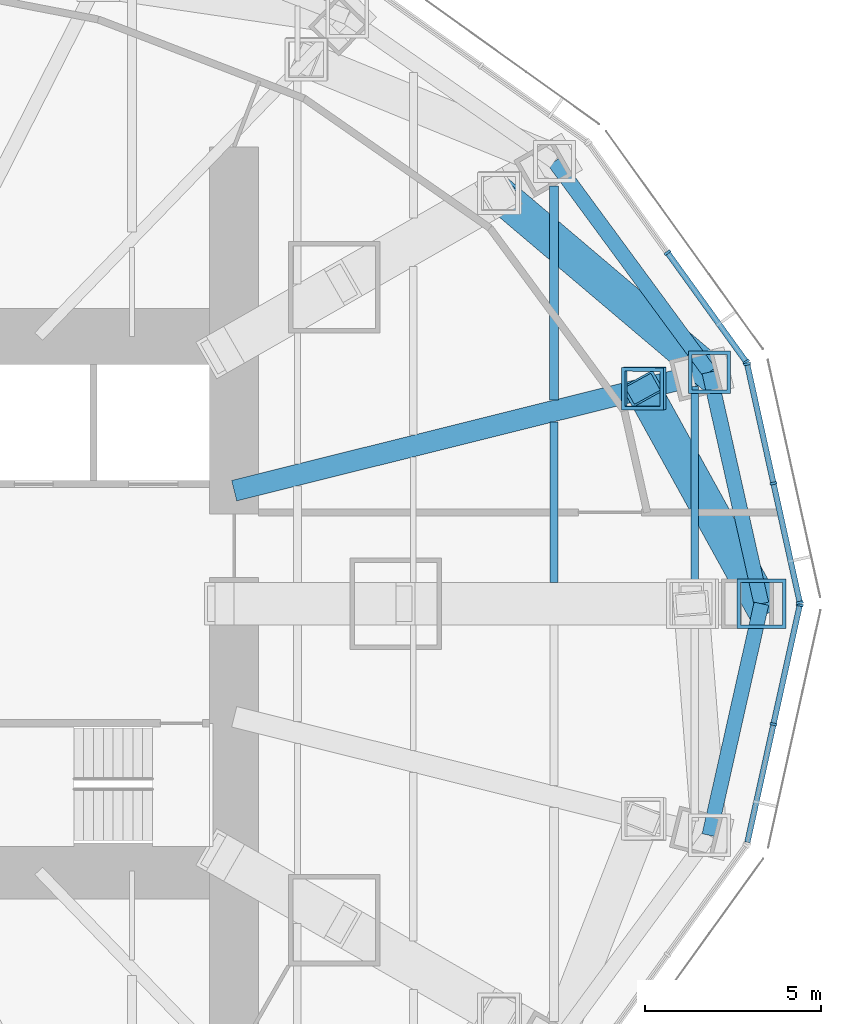
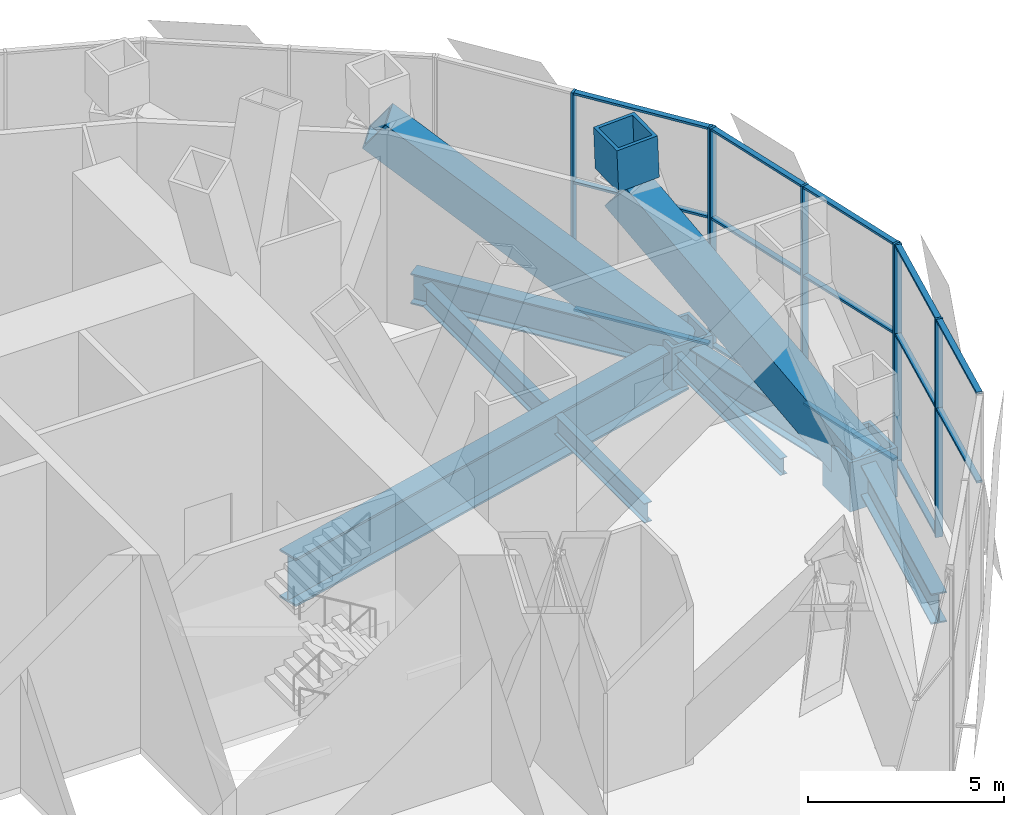
# One storey, part 7 of 19: 26 members, 7 beams, 3 elements without a shape of their own.
"""IFC4 building model written with IfcOpenShell, lengths in metres."""

from ifc_helpers import new_model, si_unit, direction, frame, origin, origin_2d, place, context, subcontext, project, spatial, rectangle, hollow_rectangle, i_section, extrude, material, material_profile, profile_set, type_object, element, aggregate, save


model = new_model("IFC4")

# Units and contexts
model_context = context("Model", 3, precision=1e-05, world=origin(), true_north=direction((0.0, 1.0)))
body_context = subcontext(model_context, "Body", "Model", "MODEL_VIEW")
ifc_project = project(units=[si_unit("LENGTHUNIT", "METRE"), si_unit("AREAUNIT", "SQUARE_METRE"), si_unit("VOLUMEUNIT", "CUBIC_METRE"), si_unit("PLANEANGLEUNIT", "RADIAN"), si_unit("MASSUNIT", "GRAM", prefix="KILO")], contexts=[model_context])

# Site, building, storey
site_placement = place(None, origin())
site = spatial("IfcSite", under=ifc_project, at=site_placement, CompositionType="ELEMENT")
building_placement = place(site_placement, origin())
building = spatial("IfcBuilding", under=site, at=building_placement, Name="Lantaw Convention Tower", CompositionType="ELEMENT")
storey_placement = place(building_placement, frame((0.0, 0.0, 193.0)))
storey = spatial("IfcBuildingStorey", under=building, at=storey_placement, Name="L45", CompositionType="ELEMENT", Elevation=193.0)

# Beams
ifc_material_1 = material(Name="Steel ASTM A992", Category="steel")
ifc_material_profile_1 = material_profile(ifc_material_1, i_section(OverallWidth=0.424072265625, OverallDepth=0.947509765625, WebThickness=0.02392578125, FlangeThickness=0.042724609375, FilletRadius=0.012451171875, at=origin_2d()), Name="W36X302")
ifc_profile_set_1 = profile_set([ifc_material_profile_1], Name="Steel ASTM A992")
beam_type_1 = type_object("IfcBeamType", Name="Beam BC W36X302", PredefinedType="SPANDREL", material=ifc_profile_set_1)
beam_1_placement = place(storey_placement, frame((27.89990234375, 0.0, -0.673828125), z_axis=(-0.219211877447, 0.975677279015, 0.0), x_axis=(-0.975677279015, -0.219211877447, 0.0)))
element("IfcBeam", 1, at=beam_1_placement, inside=storey, type_object=beam_type_1, Name="Belt truss chord 1", PredefinedType="SPANDREL", context=body_context, shape_type="SweptSolid", body=[
    extrude(i_section(OverallWidth=0.424072265625, OverallDepth=0.947509765625, WebThickness=0.02392578125, FlangeThickness=0.042724609375, FilletRadius=0.012451171875, at=origin_2d()), origin(), (0.0, 0.0, 1.0), 6.75146484375),
])
beam_2_placement = place(storey_placement, frame((26.419921875, 6.587158203125, -0.673828125), z_axis=(-0.5923891972, 0.805651934176, 0.0), x_axis=(-0.805651934176, -0.5923891972, 0.0)))
element("IfcBeam", 2, at=beam_2_placement, inside=storey, type_object=beam_type_1, Name="Belt truss chord 2", PredefinedType="SPANDREL", context=body_context, shape_type="SweptSolid", body=[
    extrude(i_section(OverallWidth=0.424072265625, OverallDepth=0.947509765625, WebThickness=0.02392578125, FlangeThickness=0.042724609375, FilletRadius=0.012451171875, at=origin_2d()), origin(), (0.0, 0.0, 1.0), 7.437744140625),
])
beam_3_placement = place(storey_placement, frame((26.419921875, -6.587158203125, -0.673828125), z_axis=(0.219211877447, 0.975677279015, 0.0), x_axis=(-0.975677279015, 0.219211877447, 0.0)))
element("IfcBeam", 3, at=beam_3_placement, inside=storey, type_object=beam_type_1, Name="Belt truss chord 24", PredefinedType="SPANDREL", context=body_context, shape_type="SweptSolid", body=[
    extrude(i_section(OverallWidth=0.424072265625, OverallDepth=0.947509765625, WebThickness=0.02392578125, FlangeThickness=0.042724609375, FilletRadius=0.012451171875, at=origin_2d()), origin(), (0.0, 0.0, 1.0), 6.75146484375),
])
ifc_material_2 = material(Name="Steel ASTM A572 Grade 50", Category="steel")
ifc_material_profile_2 = material_profile(ifc_material_2, i_section(OverallWidth=0.60009765625, OverallDepth=1.5, WebThickness=0.02490234375, FlangeThickness=0.06005859375, at=origin_2d()), Name="PG1500X600X25X60")
ifc_profile_set_2 = profile_set([ifc_material_profile_2], Name="Steel ASTM A572 Grade 50")
beam_type_2 = type_object("IfcBeamType", Name="Beam G PG1500X600X25X60", PredefinedType="BEAM", material=ifc_profile_set_2)
beam_4_placement = place(storey_placement, frame((12.89990234375, 3.21630859375, -0.949951171875), z_axis=(0.970296903132, 0.24191717544, 0.0), x_axis=(-0.24191717544, 0.970296903132, 0.0)))
element("IfcBeam", 4, at=beam_4_placement, inside=storey, type_object=beam_type_2, Name="Floor girder on ray 2", PredefinedType="BEAM", context=body_context, shape_type="SweptSolid", body=[
    extrude(i_section(OverallWidth=0.60009765625, OverallDepth=1.5, WebThickness=0.02490234375, FlangeThickness=0.06005859375, at=origin_2d()), origin(), (0.0, 0.0, 1.0), 13.933837890625),
])
ifc_material_profile_3 = material_profile(ifc_material_1, i_section(OverallWidth=0.209228515625, OverallDepth=0.533447265625, WebThickness=0.01025390625, FlangeThickness=0.015625, FilletRadius=0.012939453125, at=origin_2d()), Name="W21X62")
ifc_profile_set_3 = profile_set([ifc_material_profile_3], Name="Steel ASTM A992")
beam_type_3 = type_object("IfcBeamType", Name="Beam J W21X62", PredefinedType="JOIST", material=ifc_profile_set_3)
beam_5_placement = place(storey_placement, frame((26.0, 0.60009765625, -0.466796875), z_axis=(0.0, 1.0, 0.0), x_axis=(-1.0, 0.0, 0.0)))
element("IfcBeam", 5, at=beam_5_placement, inside=storey, type_object=beam_type_3, Name="Floor joist", PredefinedType="JOIST", context=body_context, shape_type="SweptSolid", body=[
    extrude(i_section(OverallWidth=0.209228515625, OverallDepth=0.533447265625, WebThickness=0.01025390625, FlangeThickness=0.015625, FilletRadius=0.012939453125, at=origin_2d()), origin(), (0.0, 0.0, 1.0), 5.5732421875),
])
ifc_material_profile_4 = material_profile(ifc_material_1, i_section(OverallWidth=0.22900390625, OverallDepth=0.612060546875, WebThickness=0.011962890625, FlangeThickness=0.01953125, FilletRadius=0.0126953125, at=origin_2d()), Name="W24X84")
ifc_profile_set_4 = profile_set([ifc_material_profile_4], Name="Steel ASTM A992")
beam_type_4 = type_object("IfcBeamType", Name="Beam J W24X84", PredefinedType="JOIST", material=ifc_profile_set_4)
beam_6_placement = place(storey_placement, frame((22.0, 0.60009765625, -0.506103515625), z_axis=(0.0, 1.0, 0.0), x_axis=(-1.0, 0.0, 0.0)))
element("IfcBeam", 6, at=beam_6_placement, inside=storey, type_object=beam_type_4, Name="Floor joist", PredefinedType="JOIST", context=body_context, shape_type="SweptSolid", body=[
    extrude(i_section(OverallWidth=0.22900390625, OverallDepth=0.612060546875, WebThickness=0.011962890625, FlangeThickness=0.01953125, FilletRadius=0.0126953125, at=origin_2d()), origin(), (0.0, 0.0, 1.0), 4.575927734375),
])
ifc_material_profile_5 = material_profile(ifc_material_1, i_section(OverallWidth=0.25390625, OverallDepth=0.683349609375, WebThickness=0.012451171875, FlangeThickness=0.01904296875, FilletRadius=0.01513671875, at=origin_2d()), Name="W27X94")
ifc_profile_set_5 = profile_set([ifc_material_profile_5], Name="Steel ASTM A992")
beam_type_5 = type_object("IfcBeamType", Name="Beam J W27X94", PredefinedType="JOIST", material=ifc_profile_set_5)
beam_7_placement = place(storey_placement, frame((22.0, 5.79443359375, -0.541748046875), z_axis=(0.0, 1.0, 0.0), x_axis=(-1.0, 0.0, 0.0)))
element("IfcBeam", 7, at=beam_7_placement, inside=storey, type_object=beam_type_5, Name="Floor joist", PredefinedType="JOIST", context=body_context, shape_type="SweptSolid", body=[
    extrude(i_section(OverallWidth=0.25390625, OverallDepth=0.683349609375, WebThickness=0.012451171875, FlangeThickness=0.01904296875, FilletRadius=0.01513671875, at=origin_2d()), origin(), (0.0, 0.0, 1.0), 6.0859375),
])

# Curtain wall, members
ifc_material_3 = material(Name="Aluminium framed curtain wall", Category="aluminium")
curtain_wall_type = type_object("IfcCurtainWallType", Name="Plant floor louvre wall, pale aluminium", PredefinedType="USERDEFINED", material=ifc_material_3)
curtain_wall_1_placement = place(storey_placement, origin())
curtain_wall_1 = element("IfcCurtainWall", 8, at=curtain_wall_1_placement, inside=storey, type_object=curtain_wall_type, Name="Plant floor louvre wall, pale aluminium L45", ObjectType="LOUVRE WALL", PredefinedType="USERDEFINED")
ifc_material_4 = material(Name="Aluminium 6063-T6", Category="aluminium")
ifc_material_profile_6 = material_profile(ifc_material_4, rectangle(XDim=0.199951171875, YDim=0.070068359375, at=origin_2d()), Name="CW-LV mullion 70x200")
ifc_profile_set_6 = profile_set([ifc_material_profile_6], Name="Aluminium 6063-T6")
member_type_1 = type_object("IfcMemberType", Name="CW-LV mullion 70x200", PredefinedType="MULLION", material=ifc_profile_set_6)
member_1_placement = place(storey_placement, frame((28.992431640625, 0.0341796875, -1.0), z_axis=(0.0, 0.0, 1.0), x_axis=(-0.9764936509, -0.215546166174, 0.0)))
member_1 = element("IfcMember", 9, at=member_1_placement, type_object=member_type_1, Name="CW-LV mullion 1", PredefinedType="MULLION", context=body_context, shape_type="SweptSolid", body=[
    extrude(rectangle(XDim=0.199951171875, YDim=0.070068359375, at=origin_2d()), origin(), (0.0, 0.0, 1.0), 6.800048828125),
])
member_2_placement = place(storey_placement, frame((28.24365234375, 3.4267578125, -1.0), z_axis=(0.0, 0.0, 1.0), x_axis=(-0.9764936509, -0.215546166174, 0.0)))
member_2 = element("IfcMember", 10, at=member_2_placement, type_object=member_type_1, Name="CW-LV mullion 2", PredefinedType="MULLION", context=body_context, shape_type="SweptSolid", body=[
    extrude(rectangle(XDim=0.199951171875, YDim=0.070068359375, at=origin_2d()), origin(), (0.0, 0.0, 1.0), 6.800048828125),
])
member_3_placement = place(storey_placement, frame((27.494873046875, 6.819091796875, -1.0), z_axis=(0.0, 0.0, 1.0), x_axis=(-0.9764936509, -0.215546166174, 0.0)))
member_3 = element("IfcMember", 11, at=member_3_placement, type_object=member_type_1, Name="CW-LV mullion 3", PredefinedType="MULLION", context=body_context, shape_type="SweptSolid", body=[
    extrude(rectangle(XDim=0.199951171875, YDim=0.070068359375, at=origin_2d()), origin(), (0.0, 0.0, 1.0), 6.800048828125),
])

curtain_wall_2_placement = place(storey_placement, origin())
curtain_wall_2 = element("IfcCurtainWall", 12, at=curtain_wall_2_placement, inside=storey, type_object=curtain_wall_type, Name="Plant floor louvre wall, pale aluminium L45", ObjectType="LOUVRE WALL", PredefinedType="USERDEFINED")
member_4_placement = place(storey_placement, frame((27.466796875, 6.8818359375, -1.0), z_axis=(0.0, 0.0, 1.0), x_axis=(-0.811384633629, -0.584512597221, 0.0)))
member_4 = element("IfcMember", 13, at=member_4_placement, type_object=member_type_1, Name="CW-LV mullion 1", PredefinedType="MULLION", context=body_context, shape_type="SweptSolid", body=[
    extrude(rectangle(XDim=0.199951171875, YDim=0.070068359375, at=origin_2d()), origin(), (0.0, 0.0, 1.0), 6.800048828125),
])
member_5_placement = place(storey_placement, frame((25.22802734375, 9.9892578125, -1.0), z_axis=(0.0, 0.0, 1.0), x_axis=(-0.811384633629, -0.584512597221, 0.0)))
member_5 = element("IfcMember", 14, at=member_5_placement, type_object=member_type_1, Name="CW-LV mullion 2", PredefinedType="MULLION", context=body_context, shape_type="SweptSolid", body=[
    extrude(rectangle(XDim=0.199951171875, YDim=0.070068359375, at=origin_2d()), origin(), (0.0, 0.0, 1.0), 6.800048828125),
])

curtain_wall_3_placement = place(storey_placement, origin())
curtain_wall_3 = element("IfcCurtainWall", 15, at=curtain_wall_3_placement, inside=storey, type_object=curtain_wall_type, Name="Plant floor louvre wall, pale aluminium L45", ObjectType="LOUVRE WALL", PredefinedType="USERDEFINED")
member_6_placement = place(storey_placement, frame((28.24365234375, -3.4267578125, -1.0), z_axis=(0.0, 0.0, 1.0), x_axis=(-0.9764936509, 0.215546166174, 0.0)))
member_6 = element("IfcMember", 16, at=member_6_placement, type_object=member_type_1, Name="CW-LV mullion 2", PredefinedType="MULLION", context=body_context, shape_type="SweptSolid", body=[
    extrude(rectangle(XDim=0.199951171875, YDim=0.070068359375, at=origin_2d()), origin(), (0.0, 0.0, 1.0), 6.800048828125),
])
member_7_placement = place(storey_placement, frame((28.992431640625, -0.0341796875, -1.0), z_axis=(0.0, 0.0, 1.0), x_axis=(-0.9764936509, 0.215546166174, 0.0)))
member_7 = element("IfcMember", 17, at=member_7_placement, type_object=member_type_1, Name="CW-LV mullion 3", PredefinedType="MULLION", context=body_context, shape_type="SweptSolid", body=[
    extrude(rectangle(XDim=0.199951171875, YDim=0.070068359375, at=origin_2d()), origin(), (0.0, 0.0, 1.0), 6.800048828125),
])

# Member
ifc_material_profile_7 = material_profile(ifc_material_4, rectangle(XDim=0.159912109375, YDim=0.070068359375, at=origin_2d()), Name="CW-LV transom 70x160")
ifc_profile_set_7 = profile_set([ifc_material_profile_7], Name="Aluminium 6063-T6")
member_type_2 = type_object("IfcMemberType", Name="CW-LV transom 70x160", PredefinedType="USERDEFINED", material=ifc_profile_set_7)
member_8_placement = place(storey_placement, frame((28.98486328125, 0.068359375, -0.965087890625), z_axis=(-0.215510227475, 0.976501583129, 0.0), x_axis=(-0.976501583129, -0.215510227475, 0.0)))
member_8 = element("IfcMember", 18, at=member_8_placement, type_object=member_type_2, Name="CW-LV transom 1.1", ObjectType="TRANSOM", PredefinedType="USERDEFINED", context=body_context, shape_type="SweptSolid", body=[
    extrude(rectangle(XDim=0.159912109375, YDim=0.070068359375, at=origin_2d()), origin(), (0.0, 0.0, 1.0), 3.404296875),
])

member_9_placement = place(storey_placement, frame((28.98486328125, 0.068359375, 3.0), z_axis=(-0.215510227475, 0.976501583129, 0.0), x_axis=(-0.976501583129, -0.215510227475, 0.0)))
member_9 = element("IfcMember", 19, at=member_9_placement, type_object=member_type_2, Name="CW-LV transom 1.2", ObjectType="TRANSOM", PredefinedType="USERDEFINED", context=body_context, shape_type="SweptSolid", body=[
    extrude(rectangle(XDim=0.159912109375, YDim=0.070068359375, at=origin_2d()), origin(), (0.0, 0.0, 1.0), 3.404296875),
])

member_10_placement = place(storey_placement, frame((28.98486328125, 0.068359375, 5.764892578125), z_axis=(-0.215510227475, 0.976501583129, 0.0), x_axis=(-0.976501583129, -0.215510227475, 0.0)))
member_10 = element("IfcMember", 20, at=member_10_placement, type_object=member_type_2, Name="CW-LV transom 1.3", ObjectType="TRANSOM", PredefinedType="USERDEFINED", context=body_context, shape_type="SweptSolid", body=[
    extrude(rectangle(XDim=0.159912109375, YDim=0.070068359375, at=origin_2d()), origin(), (0.0, 0.0, 1.0), 3.404296875),
])

member_11_placement = place(storey_placement, frame((28.236083984375, 3.4609375, -0.965087890625), z_axis=(-0.215593710182, 0.976483155067, 0.0), x_axis=(-0.976483155067, -0.215593710182, 0.0)))
member_11 = element("IfcMember", 21, at=member_11_placement, type_object=member_type_2, Name="CW-LV transom 2.1", ObjectType="TRANSOM", PredefinedType="USERDEFINED", context=body_context, shape_type="SweptSolid", body=[
    extrude(rectangle(XDim=0.159912109375, YDim=0.070068359375, at=origin_2d()), origin(), (0.0, 0.0, 1.0), 3.404052734375),
])

member_12_placement = place(storey_placement, frame((28.236083984375, 3.4609375, 3.0), z_axis=(-0.215593710182, 0.976483155067, 0.0), x_axis=(-0.976483155067, -0.215593710182, 0.0)))
member_12 = element("IfcMember", 22, at=member_12_placement, type_object=member_type_2, Name="CW-LV transom 2.2", ObjectType="TRANSOM", PredefinedType="USERDEFINED", context=body_context, shape_type="SweptSolid", body=[
    extrude(rectangle(XDim=0.159912109375, YDim=0.070068359375, at=origin_2d()), origin(), (0.0, 0.0, 1.0), 3.404052734375),
])

member_13_placement = place(storey_placement, frame((28.236083984375, 3.4609375, 5.764892578125), z_axis=(-0.215593710182, 0.976483155067, 0.0), x_axis=(-0.976483155067, -0.215593710182, 0.0)))
member_13 = element("IfcMember", 23, at=member_13_placement, type_object=member_type_2, Name="CW-LV transom 2.3", ObjectType="TRANSOM", PredefinedType="USERDEFINED", context=body_context, shape_type="SweptSolid", body=[
    extrude(rectangle(XDim=0.159912109375, YDim=0.070068359375, at=origin_2d()), origin(), (0.0, 0.0, 1.0), 3.404052734375),
])

aggregate(curtain_wall_1, [member_1, member_2, member_3, member_8, member_9, member_10, member_11, member_12, member_13])

member_14_placement = place(storey_placement, frame((27.4462890625, 6.91015625, -0.965087890625), z_axis=(-0.584513390493, 0.811384062164, 0.0), x_axis=(-0.811384062164, -0.584513390493, 0.0)))
member_14 = element("IfcMember", 24, at=member_14_placement, type_object=member_type_2, Name="CW-LV transom 1.1", ObjectType="TRANSOM", PredefinedType="USERDEFINED", context=body_context, shape_type="SweptSolid", body=[
    extrude(rectangle(XDim=0.159912109375, YDim=0.070068359375, at=origin_2d()), origin(), (0.0, 0.0, 1.0), 3.760009765625),
])

member_15_placement = place(storey_placement, frame((27.4462890625, 6.91015625, 3.0), z_axis=(-0.584513390493, 0.811384062164, 0.0), x_axis=(-0.811384062164, -0.584513390493, 0.0)))
member_15 = element("IfcMember", 25, at=member_15_placement, type_object=member_type_2, Name="CW-LV transom 1.2", ObjectType="TRANSOM", PredefinedType="USERDEFINED", context=body_context, shape_type="SweptSolid", body=[
    extrude(rectangle(XDim=0.159912109375, YDim=0.070068359375, at=origin_2d()), origin(), (0.0, 0.0, 1.0), 3.760009765625),
])

member_16_placement = place(storey_placement, frame((27.4462890625, 6.91015625, 5.764892578125), z_axis=(-0.584513390493, 0.811384062164, 0.0), x_axis=(-0.811384062164, -0.584513390493, 0.0)))
member_16 = element("IfcMember", 26, at=member_16_placement, type_object=member_type_2, Name="CW-LV transom 1.3", ObjectType="TRANSOM", PredefinedType="USERDEFINED", context=body_context, shape_type="SweptSolid", body=[
    extrude(rectangle(XDim=0.159912109375, YDim=0.070068359375, at=origin_2d()), origin(), (0.0, 0.0, 1.0), 3.760009765625),
])

aggregate(curtain_wall_2, [member_4, member_5, member_14, member_15, member_16])

member_17_placement = place(storey_placement, frame((27.502197265625, -6.784912109375, 3.0), z_axis=(0.215593710182, 0.976483155067, 0.0), x_axis=(-0.976483155067, 0.215593710182, 0.0)))
member_17 = element("IfcMember", 27, at=member_17_placement, type_object=member_type_2, Name="CW-LV transom 1.2", ObjectType="TRANSOM", PredefinedType="USERDEFINED", context=body_context, shape_type="SweptSolid", body=[
    extrude(rectangle(XDim=0.159912109375, YDim=0.070068359375, at=origin_2d()), origin(), (0.0, 0.0, 1.0), 3.404052734375),
])

member_18_placement = place(storey_placement, frame((27.502197265625, -6.784912109375, 5.764892578125), z_axis=(0.215593710182, 0.976483155067, 0.0), x_axis=(-0.976483155067, 0.215593710182, 0.0)))
member_18 = element("IfcMember", 28, at=member_18_placement, type_object=member_type_2, Name="CW-LV transom 1.3", ObjectType="TRANSOM", PredefinedType="USERDEFINED", context=body_context, shape_type="SweptSolid", body=[
    extrude(rectangle(XDim=0.159912109375, YDim=0.070068359375, at=origin_2d()), origin(), (0.0, 0.0, 1.0), 3.404052734375),
])

member_19_placement = place(storey_placement, frame((28.251220703125, -3.392578125, -0.965087890625), z_axis=(0.215510227475, 0.976501583129, 0.0), x_axis=(-0.976501583129, 0.215510227475, 0.0)))
member_19 = element("IfcMember", 29, at=member_19_placement, type_object=member_type_2, Name="CW-LV transom 2.1", ObjectType="TRANSOM", PredefinedType="USERDEFINED", context=body_context, shape_type="SweptSolid", body=[
    extrude(rectangle(XDim=0.159912109375, YDim=0.070068359375, at=origin_2d()), origin(), (0.0, 0.0, 1.0), 3.404296875),
])

member_20_placement = place(storey_placement, frame((28.251220703125, -3.392578125, 3.0), z_axis=(0.215510227475, 0.976501583129, 0.0), x_axis=(-0.976501583129, 0.215510227475, 0.0)))
member_20 = element("IfcMember", 30, at=member_20_placement, type_object=member_type_2, Name="CW-LV transom 2.2", ObjectType="TRANSOM", PredefinedType="USERDEFINED", context=body_context, shape_type="SweptSolid", body=[
    extrude(rectangle(XDim=0.159912109375, YDim=0.070068359375, at=origin_2d()), origin(), (0.0, 0.0, 1.0), 3.404296875),
])

member_21_placement = place(storey_placement, frame((28.251220703125, -3.392578125, 5.764892578125), z_axis=(0.215510227475, 0.976501583129, 0.0), x_axis=(-0.976501583129, 0.215510227475, 0.0)))
member_21 = element("IfcMember", 31, at=member_21_placement, type_object=member_type_2, Name="CW-LV transom 2.3", ObjectType="TRANSOM", PredefinedType="USERDEFINED", context=body_context, shape_type="SweptSolid", body=[
    extrude(rectangle(XDim=0.159912109375, YDim=0.070068359375, at=origin_2d()), origin(), (0.0, 0.0, 1.0), 3.404296875),
])

aggregate(curtain_wall_3, [member_6, member_7, member_17, member_18, member_19, member_20, member_21])

# Members
ifc_material_profile_8 = material_profile(ifc_material_2, hollow_rectangle(XDim=1.0, YDim=1.0, WallThickness=0.080078125, at=origin_2d()), Name="BOX1000X80")
ifc_profile_set_8 = profile_set([ifc_material_profile_8], Name="Steel ASTM A572 Grade 50")
member_type_3 = type_object("IfcMemberType", Name="Member BT BOX1000X80", PredefinedType="BRACE", material=ifc_profile_set_8)
member_22_placement = place(storey_placement, frame((27.89990234375, 0.0, -0.673828125), z_axis=(-0.365540280656, 0.661623680866, 0.654701770377), x_axis=(-0.875294096806, -0.483590988436, 0.0)))
element("IfcMember", 32, at=member_22_placement, inside=storey, type_object=member_type_3, Name="Belt truss diagonal 1", PredefinedType="BRACE", context=body_context, shape_type="SweptSolid", body=[
    extrude(hollow_rectangle(XDim=1.0, YDim=1.0, WallThickness=0.080078125, at=origin_2d()), origin(), (0.0, 0.0, 1.0), 9.240966796875),
])
member_23_placement = place(storey_placement, frame((26.419921875, 6.587158203125, -0.673828125), z_axis=(-0.604524709688, 0.512429629134, 0.60988994955), x_axis=(-0.646610226465, -0.762820565422, 0.0)))
element("IfcMember", 33, at=member_23_placement, inside=storey, type_object=member_type_3, Name="Belt truss diagonal 2", PredefinedType="BRACE", context=body_context, shape_type="SweptSolid", body=[
    extrude(hollow_rectangle(XDim=1.0, YDim=1.0, WallThickness=0.080078125, at=origin_2d()), origin(), (0.0, 0.0, 1.0), 9.919921875),
])
ifc_material_5 = material(Name="Cast steel ASTM A148 Grade 80-50", Category="steel")
ifc_material_profile_9 = material_profile(ifc_material_5, hollow_rectangle(XDim=1.199951171875, YDim=1.199951171875, WallThickness=0.10009765625, at=origin_2d()), Name="BOX1200X100")
ifc_profile_set_9 = profile_set([ifc_material_profile_9], Name="Cast steel ASTM A148 Grade 80-50")
member_type_4 = type_object("IfcMemberType", Name="Member CN BOX1200X100", PredefinedType="USERDEFINED", material=ifc_profile_set_9)
member_24_placement = place(storey_placement, frame((26.419921875, 6.587158203125, -1.320068359375), z_axis=(0.0, 0.0, 1.0), x_axis=(1.0, 0.0, 0.0)))
element("IfcMember", 34, at=member_24_placement, inside=storey, type_object=member_type_4, Name="Cast steel column node", ObjectType="COLUMN NODE", PredefinedType="USERDEFINED", context=body_context, shape_type="SweptSolid", body=[
    extrude(hollow_rectangle(XDim=1.199951171875, YDim=1.199951171875, WallThickness=0.10009765625, at=origin_2d()), origin(), (0.0, 0.0, 1.0), 1.320068359375),
])
member_25_placement = place(storey_placement, frame((24.581787109375, 6.12890625, 5.81103515625), z_axis=(-0.045262314505, -0.011269392591, 0.998911569498), x_axis=(0.998975084207, -0.00083343341, 0.045255789938)))
element("IfcMember", 35, at=member_25_placement, inside=storey, type_object=member_type_4, Name="Cast steel column node", ObjectType="COLUMN NODE", PredefinedType="USERDEFINED", context=body_context, shape_type="SweptSolid", body=[
    extrude(hollow_rectangle(XDim=1.199951171875, YDim=1.199951171875, WallThickness=0.10009765625, at=origin_2d()), origin(), (0.0, 0.0, 1.0), 1.321533203125),
])
ifc_material_profile_10 = material_profile(ifc_material_5, hollow_rectangle(XDim=1.39990234375, YDim=1.39990234375, WallThickness=0.10009765625, at=origin_2d()), Name="BOX1400X100")
ifc_profile_set_10 = profile_set([ifc_material_profile_10], Name="Cast steel ASTM A148 Grade 80-50")
member_type_5 = type_object("IfcMemberType", Name="Member CN BOX1400X100", PredefinedType="USERDEFINED", material=ifc_profile_set_10)
member_26_placement = place(storey_placement, frame((27.89990234375, 0.0, -1.5400390625), z_axis=(0.0, 0.0, 1.0), x_axis=(1.0, 0.0, 0.0)))
element("IfcMember", 36, at=member_26_placement, inside=storey, type_object=member_type_5, Name="Cast steel column node", ObjectType="COLUMN NODE", PredefinedType="USERDEFINED", context=body_context, shape_type="SweptSolid", body=[
    extrude(hollow_rectangle(XDim=1.39990234375, YDim=1.39990234375, WallThickness=0.10009765625, at=origin_2d()), origin(), (0.0, 0.0, 1.0), 1.5400390625),
])

save(model, "model.ifc")
